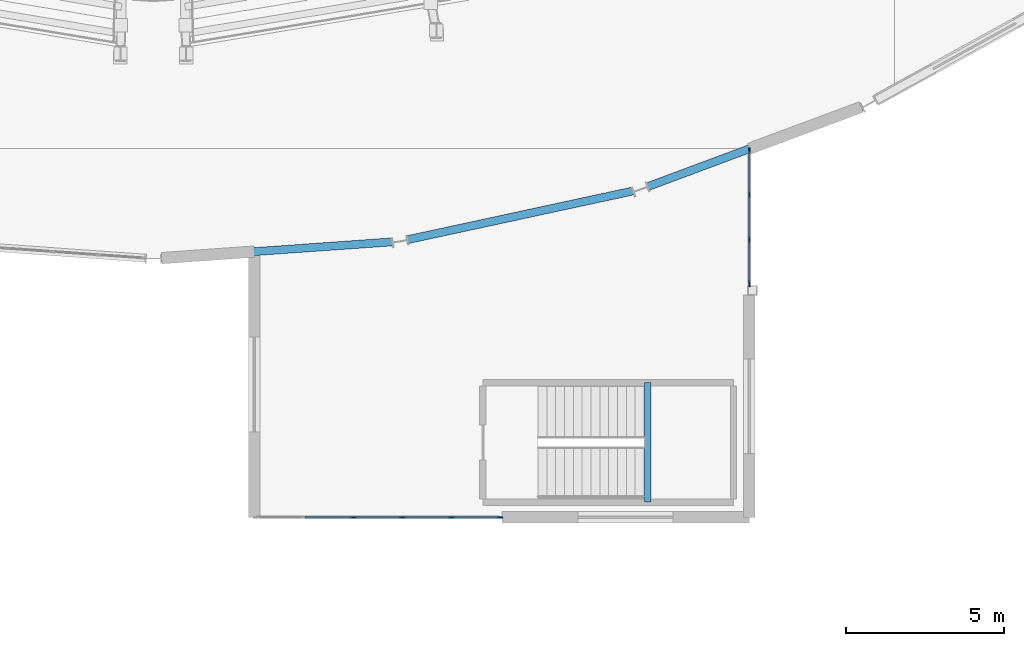
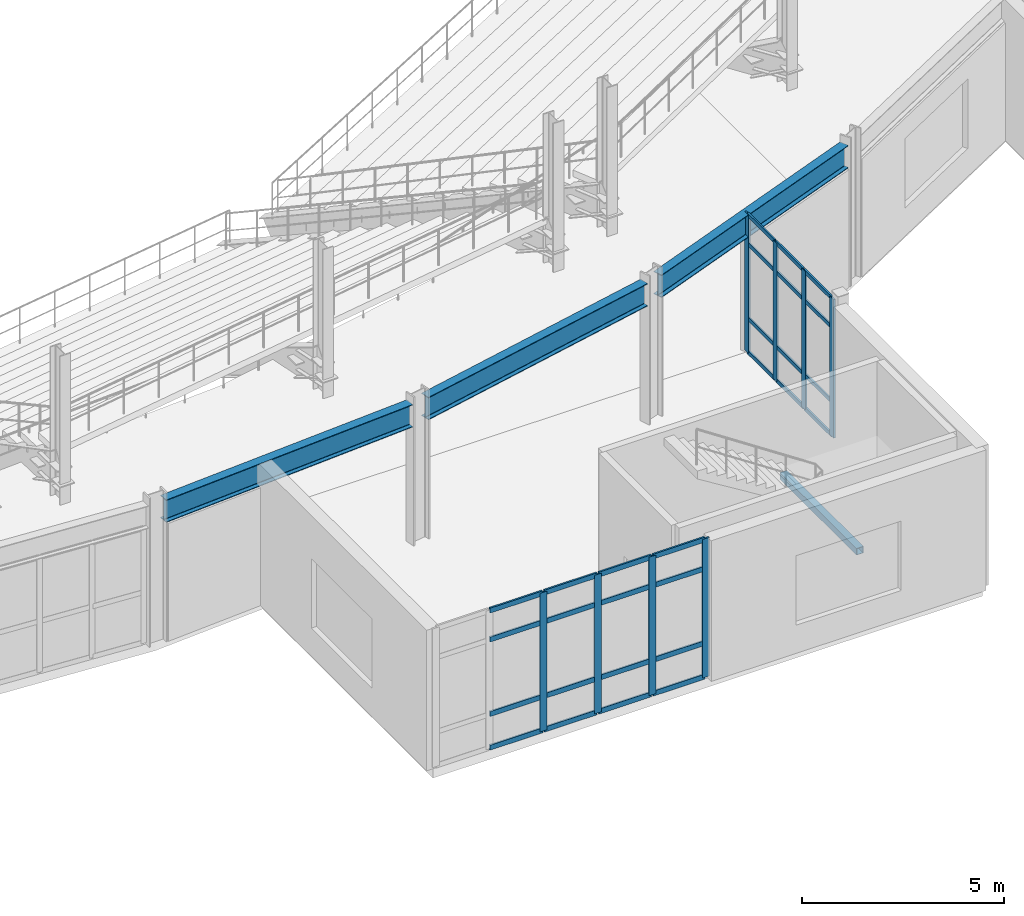
# One storey, part 24 of 81: 36 members, 4 beams, 2 elements without a shape of their own.
"""IFC4 building model written with IfcOpenShell, lengths in metres."""

from ifc_helpers import new_model, si_unit, direction, frame, origin, origin_2d, place, context, subcontext, project, spatial, rectangle, hollow_rectangle, i_section, extrude, material, material_profile, profile_set, type_object, element, aggregate, save


model = new_model("IFC4")

# Units and contexts
model_context = context("Model", 3, precision=1e-05, world=origin(), true_north=direction((0.0, 1.0)))
body_context = subcontext(model_context, "Body", "Model", "MODEL_VIEW")
ifc_project = project(units=[si_unit("LENGTHUNIT", "METRE"), si_unit("AREAUNIT", "SQUARE_METRE"), si_unit("VOLUMEUNIT", "CUBIC_METRE"), si_unit("PLANEANGLEUNIT", "RADIAN"), si_unit("MASSUNIT", "GRAM", prefix="KILO")], contexts=[model_context])

# Site, building, storey
site_placement = place(None, origin())
site = spatial("IfcSite", under=ifc_project, at=site_placement, CompositionType="ELEMENT")
building_placement = place(site_placement, origin())
building = spatial("IfcBuilding", under=site, at=building_placement, Name="Glasvene Arena", CompositionType="ELEMENT")
storey_placement = place(building_placement, frame((0.0, 0.0, 15.0)))
storey = spatial("IfcBuildingStorey", under=building, at=storey_placement, Name="L03", CompositionType="ELEMENT", Elevation=15.0)

# Beams
ifc_material_1 = material(Name="Steel S355J2", Category="steel")
ifc_material_profile_1 = material_profile(ifc_material_1, i_section(OverallWidth=0.253662109375, OverallDepth=0.68359375, WebThickness=0.012451171875, FlangeThickness=0.01904296875, FilletRadius=0.01513671875, at=origin_2d()), Name="UKB 686x254x140")
ifc_profile_set_1 = profile_set([ifc_material_profile_1], Name="Steel S355J2")
beam_type_1 = type_object("IfcBeamType", Name="BM-GIRD-686", PredefinedType="BEAM", material=ifc_profile_set_1)
beam_1_placement = place(storey_placement, frame((92.239501953125, 28.01708984375, 3.908203125), z_axis=(0.997501616337, 0.070643650844, 0.0), x_axis=(-0.070643650844, 0.997501616337, 0.0)))
element("IfcBeam", 1, at=beam_1_placement, inside=storey, type_object=beam_type_1, Name="Bowl ring chord beam L03-31", PredefinedType="BEAM", context=body_context, shape_type="SweptSolid", body=[
    extrude(i_section(OverallWidth=0.253662109375, OverallDepth=0.68359375, WebThickness=0.012451171875, FlangeThickness=0.01904296875, FilletRadius=0.01513671875, at=origin_2d()), origin(), (0.0, 0.0, 1.0), 7.361083984375),
])
beam_2_placement = place(storey_placement, frame((100.056396484375, 28.604736328125, 3.908203125), z_axis=(0.97744150895, 0.211206289161, 0.0), x_axis=(-0.211206289161, 0.97744150895, 0.0)))
element("IfcBeam", 2, at=beam_2_placement, inside=storey, type_object=beam_type_1, Name="Bowl ring chord beam L03-32", PredefinedType="BEAM", context=body_context, shape_type="SweptSolid", body=[
    extrude(i_section(OverallWidth=0.253662109375, OverallDepth=0.68359375, WebThickness=0.012451171875, FlangeThickness=0.01904296875, FilletRadius=0.01513671875, at=origin_2d()), origin(), (0.0, 0.0, 1.0), 7.3251953125),
])
beam_3_placement = place(storey_placement, frame((107.67578125, 30.286376953125, 3.908203125), z_axis=(0.937013245498, 0.349293827259, 0.0), x_axis=(-0.349293827259, 0.937013245498, 0.0)))
element("IfcBeam", 3, at=beam_3_placement, inside=storey, type_object=beam_type_1, Name="Bowl ring chord beam L03-33", PredefinedType="BEAM", context=body_context, shape_type="SweptSolid", body=[
    extrude(i_section(OverallWidth=0.253662109375, OverallDepth=0.68359375, WebThickness=0.012451171875, FlangeThickness=0.01904296875, FilletRadius=0.01513671875, at=origin_2d()), origin(), (0.0, 0.0, 1.0), 7.255859375),
])
ifc_material_profile_2 = material_profile(ifc_material_1, hollow_rectangle(XDim=0.199951171875, YDim=0.199951171875, WallThickness=0.010009765625, at=origin_2d()), Name="SHS 200x200x10.0")
ifc_profile_set_2 = profile_set([ifc_material_profile_2], Name="Steel S355J2")
beam_type_2 = type_object("IfcBeamType", Name="BM-LINTEL-200", PredefinedType="LINTEL", material=ifc_profile_set_2)
beam_4_placement = place(storey_placement, frame((107.679931640625, 20.280029296875, 1.929931640625), z_axis=(0.0, 1.0, 0.0), x_axis=(-1.0, 0.0, 0.0)))
element("IfcBeam", 4, at=beam_4_placement, inside=storey, type_object=beam_type_2, Name="Stair half-landing support beam ST-09-L03", PredefinedType="LINTEL", context=body_context, shape_type="SweptSolid", body=[
    extrude(hollow_rectangle(XDim=0.199951171875, YDim=0.199951171875, WallThickness=0.010009765625, at=origin_2d()), origin(), (0.0, 0.0, 1.0), 3.7900390625),
])

# Curtain wall, members
ifc_material_2 = material(Name="Low-emissivity laminated double glazing", Category="glass")
curtain_wall_type_1 = type_object("IfcCurtainWallType", Name="CW-FAC-L03-426x419", PredefinedType="USERDEFINED", material=ifc_material_2)
curtain_wall_1_placement = place(storey_placement, frame((110.89990234375, 31.4482421875, 0.0)))
curtain_wall_1 = element("IfcCurtainWall", 5, at=curtain_wall_1_placement, inside=storey, type_object=curtain_wall_type_1, Name="Unitised curtain wall CW-F-L03-180-1109-293-52", ObjectType="CURTAIN WALL", PredefinedType="USERDEFINED")
ifc_material_3 = material(Name="Anodised architectural aluminium", Category="aluminium")
ifc_material_profile_3 = material_profile(ifc_material_3, rectangle(XDim=0.050048828125, YDim=0.199951171875, at=origin_2d()), Name="ALU MULLION 50x200")
ifc_profile_set_3 = profile_set([ifc_material_profile_3], Name="Anodised architectural aluminium")
member_type_1 = type_object("IfcMemberType", Name="CW-MUL-180", PredefinedType="MULLION", material=ifc_profile_set_3)
member_1_placement = place(storey_placement, frame((110.89990234375, 31.42333984375, 0.06005859375), z_axis=(0.0, 0.0, 1.0), x_axis=(1.0, 0.0, 0.0)))
member_1 = element("IfcMember", 6, at=member_1_placement, type_object=member_type_1, Name="CW-041 mullion 1", PredefinedType="MULLION", context=body_context, shape_type="SweptSolid", body=[
    extrude(rectangle(XDim=0.050048828125, YDim=0.199951171875, at=origin_2d()), origin(), (0.0, 0.0, 1.0), 4.18994140625),
])
member_2_placement = place(storey_placement, frame((110.89990234375, 30.029541015625, 0.06005859375), z_axis=(0.0, 0.0, 1.0), x_axis=(1.0, 0.0, 0.0)))
member_2 = element("IfcMember", 7, at=member_2_placement, type_object=member_type_1, Name="CW-041 mullion 2", PredefinedType="MULLION", context=body_context, shape_type="SweptSolid", body=[
    extrude(rectangle(XDim=0.050048828125, YDim=0.199951171875, at=origin_2d()), origin(), (0.0, 0.0, 1.0), 4.18994140625),
])
member_3_placement = place(storey_placement, frame((110.89990234375, 28.61083984375, 0.06005859375), z_axis=(0.0, 0.0, 1.0), x_axis=(1.0, 0.0, 0.0)))
member_3 = element("IfcMember", 8, at=member_3_placement, type_object=member_type_1, Name="CW-041 mullion 3", PredefinedType="MULLION", context=body_context, shape_type="SweptSolid", body=[
    extrude(rectangle(XDim=0.050048828125, YDim=0.199951171875, at=origin_2d()), origin(), (0.0, 0.0, 1.0), 4.18994140625),
])
member_4_placement = place(storey_placement, frame((110.89990234375, 27.217041015625, 0.06005859375), z_axis=(0.0, 0.0, 1.0), x_axis=(1.0, 0.0, 0.0)))
member_4 = element("IfcMember", 9, at=member_4_placement, type_object=member_type_1, Name="CW-041 mullion 4", PredefinedType="MULLION", context=body_context, shape_type="SweptSolid", body=[
    extrude(rectangle(XDim=0.050048828125, YDim=0.199951171875, at=origin_2d()), origin(), (0.0, 0.0, 1.0), 4.18994140625),
])

curtain_wall_type_2 = type_object("IfcCurtainWallType", Name="CW-FAC-L03-777x419", PredefinedType="USERDEFINED", material=ifc_material_2)
curtain_wall_2_placement = place(storey_placement, frame((103.010009765625, 19.800048828125, 0.0)))
curtain_wall_2 = element("IfcCurtainWall", 10, at=curtain_wall_2_placement, inside=storey, type_object=curtain_wall_type_2, Name="Unitised curtain wall CW-F-L03-180-991-198-55", ObjectType="CURTAIN WALL", PredefinedType="USERDEFINED")
member_5_placement = place(storey_placement, frame((102.985107421875, 19.800048828125, 0.06005859375), z_axis=(0.0, 0.0, 1.0), x_axis=(0.0, -1.0, 0.0)))
member_5 = element("IfcMember", 11, at=member_5_placement, type_object=member_type_1, Name="CW-042 mullion 1", PredefinedType="MULLION", context=body_context, shape_type="SweptSolid", body=[
    extrude(rectangle(XDim=0.050048828125, YDim=0.199951171875, at=origin_2d()), origin(), (0.0, 0.0, 1.0), 4.18994140625),
])
member_6_placement = place(storey_placement, frame((101.4560546875, 19.800048828125, 0.06005859375), z_axis=(0.0, 0.0, 1.0), x_axis=(0.0, -1.0, 0.0)))
member_6 = element("IfcMember", 12, at=member_6_placement, type_object=member_type_1, Name="CW-042 mullion 2", PredefinedType="MULLION", context=body_context, shape_type="SweptSolid", body=[
    extrude(rectangle(XDim=0.050048828125, YDim=0.199951171875, at=origin_2d()), origin(), (0.0, 0.0, 1.0), 4.18994140625),
])
member_7_placement = place(storey_placement, frame((99.902099609375, 19.800048828125, 0.06005859375), z_axis=(0.0, 0.0, 1.0), x_axis=(0.0, -1.0, 0.0)))
member_7 = element("IfcMember", 13, at=member_7_placement, type_object=member_type_1, Name="CW-042 mullion 3", PredefinedType="MULLION", context=body_context, shape_type="SweptSolid", body=[
    extrude(rectangle(XDim=0.050048828125, YDim=0.199951171875, at=origin_2d()), origin(), (0.0, 0.0, 1.0), 4.18994140625),
])
member_8_placement = place(storey_placement, frame((98.347900390625, 19.800048828125, 0.06005859375), z_axis=(0.0, 0.0, 1.0), x_axis=(0.0, -1.0, 0.0)))
member_8 = element("IfcMember", 14, at=member_8_placement, type_object=member_type_1, Name="CW-042 mullion 4", PredefinedType="MULLION", context=body_context, shape_type="SweptSolid", body=[
    extrude(rectangle(XDim=0.050048828125, YDim=0.199951171875, at=origin_2d()), origin(), (0.0, 0.0, 1.0), 4.18994140625),
])

# Member
ifc_material_profile_4 = material_profile(ifc_material_3, rectangle(XDim=0.050048828125, YDim=0.1201171875, at=origin_2d()), Name="ALU TRANSOM 50x120")
ifc_profile_set_4 = profile_set([ifc_material_profile_4], Name="Anodised architectural aluminium")
member_type_2 = type_object("IfcMemberType", Name="CW-TRN-120", PredefinedType="USERDEFINED", material=ifc_profile_set_4)
member_9_placement = place(storey_placement, frame((110.89990234375, 31.398193359375, 0.0849609375), z_axis=(0.0, -1.0, 0.0), x_axis=(1.0, 0.0, 0.0)))
member_9 = element("IfcMember", 15, at=member_9_placement, type_object=member_type_2, Name="CW-041 transom 1.1", ObjectType="TRANSOM", PredefinedType="USERDEFINED", context=body_context, shape_type="SweptSolid", body=[
    extrude(rectangle(XDim=0.050048828125, YDim=0.1201171875, at=origin_2d()), origin(), (0.0, 0.0, 1.0), 1.34375),
])

member_10_placement = place(storey_placement, frame((110.89990234375, 31.398193359375, 1.10009765625), z_axis=(0.0, -1.0, 0.0), x_axis=(1.0, 0.0, 0.0)))
member_10 = element("IfcMember", 16, at=member_10_placement, type_object=member_type_2, Name="CW-041 transom 1.2", ObjectType="TRANSOM", PredefinedType="USERDEFINED", context=body_context, shape_type="SweptSolid", body=[
    extrude(rectangle(XDim=0.050048828125, YDim=0.1201171875, at=origin_2d()), origin(), (0.0, 0.0, 1.0), 1.34375),
])

member_11_placement = place(storey_placement, frame((110.89990234375, 31.398193359375, 3.35009765625), z_axis=(0.0, -1.0, 0.0), x_axis=(1.0, 0.0, 0.0)))
member_11 = element("IfcMember", 17, at=member_11_placement, type_object=member_type_2, Name="CW-041 transom 1.3", ObjectType="TRANSOM", PredefinedType="USERDEFINED", context=body_context, shape_type="SweptSolid", body=[
    extrude(rectangle(XDim=0.050048828125, YDim=0.1201171875, at=origin_2d()), origin(), (0.0, 0.0, 1.0), 1.34375),
])

member_12_placement = place(storey_placement, frame((110.89990234375, 31.398193359375, 4.22509765625), z_axis=(0.0, -1.0, 0.0), x_axis=(1.0, 0.0, 0.0)))
member_12 = element("IfcMember", 18, at=member_12_placement, type_object=member_type_2, Name="CW-041 transom 1.4", ObjectType="TRANSOM", PredefinedType="USERDEFINED", context=body_context, shape_type="SweptSolid", body=[
    extrude(rectangle(XDim=0.050048828125, YDim=0.1201171875, at=origin_2d()), origin(), (0.0, 0.0, 1.0), 1.34375),
])

member_13_placement = place(storey_placement, frame((110.89990234375, 30.004638671875, 0.0849609375), z_axis=(0.0, -1.0, 0.0), x_axis=(1.0, 0.0, 0.0)))
member_13 = element("IfcMember", 19, at=member_13_placement, type_object=member_type_2, Name="CW-041 transom 2.1", ObjectType="TRANSOM", PredefinedType="USERDEFINED", context=body_context, shape_type="SweptSolid", body=[
    extrude(rectangle(XDim=0.050048828125, YDim=0.1201171875, at=origin_2d()), origin(), (0.0, 0.0, 1.0), 1.368896484375),
])

member_14_placement = place(storey_placement, frame((110.89990234375, 30.004638671875, 1.10009765625), z_axis=(0.0, -1.0, 0.0), x_axis=(1.0, 0.0, 0.0)))
member_14 = element("IfcMember", 20, at=member_14_placement, type_object=member_type_2, Name="CW-041 transom 2.2", ObjectType="TRANSOM", PredefinedType="USERDEFINED", context=body_context, shape_type="SweptSolid", body=[
    extrude(rectangle(XDim=0.050048828125, YDim=0.1201171875, at=origin_2d()), origin(), (0.0, 0.0, 1.0), 1.368896484375),
])

member_15_placement = place(storey_placement, frame((110.89990234375, 30.004638671875, 3.35009765625), z_axis=(0.0, -1.0, 0.0), x_axis=(1.0, 0.0, 0.0)))
member_15 = element("IfcMember", 21, at=member_15_placement, type_object=member_type_2, Name="CW-041 transom 2.3", ObjectType="TRANSOM", PredefinedType="USERDEFINED", context=body_context, shape_type="SweptSolid", body=[
    extrude(rectangle(XDim=0.050048828125, YDim=0.1201171875, at=origin_2d()), origin(), (0.0, 0.0, 1.0), 1.368896484375),
])

member_16_placement = place(storey_placement, frame((110.89990234375, 30.004638671875, 4.22509765625), z_axis=(0.0, -1.0, 0.0), x_axis=(1.0, 0.0, 0.0)))
member_16 = element("IfcMember", 22, at=member_16_placement, type_object=member_type_2, Name="CW-041 transom 2.4", ObjectType="TRANSOM", PredefinedType="USERDEFINED", context=body_context, shape_type="SweptSolid", body=[
    extrude(rectangle(XDim=0.050048828125, YDim=0.1201171875, at=origin_2d()), origin(), (0.0, 0.0, 1.0), 1.368896484375),
])

member_17_placement = place(storey_placement, frame((110.89990234375, 28.585693359375, 0.0849609375), z_axis=(0.0, -1.0, 0.0), x_axis=(1.0, 0.0, 0.0)))
member_17 = element("IfcMember", 23, at=member_17_placement, type_object=member_type_2, Name="CW-041 transom 3.1", ObjectType="TRANSOM", PredefinedType="USERDEFINED", context=body_context, shape_type="SweptSolid", body=[
    extrude(rectangle(XDim=0.050048828125, YDim=0.1201171875, at=origin_2d()), origin(), (0.0, 0.0, 1.0), 1.34375),
])

member_18_placement = place(storey_placement, frame((110.89990234375, 28.585693359375, 1.10009765625), z_axis=(0.0, -1.0, 0.0), x_axis=(1.0, 0.0, 0.0)))
member_18 = element("IfcMember", 24, at=member_18_placement, type_object=member_type_2, Name="CW-041 transom 3.2", ObjectType="TRANSOM", PredefinedType="USERDEFINED", context=body_context, shape_type="SweptSolid", body=[
    extrude(rectangle(XDim=0.050048828125, YDim=0.1201171875, at=origin_2d()), origin(), (0.0, 0.0, 1.0), 1.34375),
])

member_19_placement = place(storey_placement, frame((110.89990234375, 28.585693359375, 3.35009765625), z_axis=(0.0, -1.0, 0.0), x_axis=(1.0, 0.0, 0.0)))
member_19 = element("IfcMember", 25, at=member_19_placement, type_object=member_type_2, Name="CW-041 transom 3.3", ObjectType="TRANSOM", PredefinedType="USERDEFINED", context=body_context, shape_type="SweptSolid", body=[
    extrude(rectangle(XDim=0.050048828125, YDim=0.1201171875, at=origin_2d()), origin(), (0.0, 0.0, 1.0), 1.34375),
])

member_20_placement = place(storey_placement, frame((110.89990234375, 28.585693359375, 4.22509765625), z_axis=(0.0, -1.0, 0.0), x_axis=(1.0, 0.0, 0.0)))
member_20 = element("IfcMember", 26, at=member_20_placement, type_object=member_type_2, Name="CW-041 transom 3.4", ObjectType="TRANSOM", PredefinedType="USERDEFINED", context=body_context, shape_type="SweptSolid", body=[
    extrude(rectangle(XDim=0.050048828125, YDim=0.1201171875, at=origin_2d()), origin(), (0.0, 0.0, 1.0), 1.34375),
])

aggregate(curtain_wall_1, [member_1, member_2, member_3, member_4, member_9, member_10, member_11, member_12, member_13, member_14, member_15, member_16, member_17, member_18, member_19, member_20])

ifc_material_profile_5 = material_profile(ifc_material_3, rectangle(XDim=0.050048828125, YDim=0.14990234375, at=origin_2d()), Name="ALU TRANSOM 50x150")
ifc_profile_set_5 = profile_set([ifc_material_profile_5], Name="Anodised architectural aluminium")
member_type_3 = type_object("IfcMemberType", Name="CW-TRN-150", PredefinedType="USERDEFINED", material=ifc_profile_set_5)
member_21_placement = place(storey_placement, frame((102.9599609375, 19.800048828125, 0.0849609375), z_axis=(-1.0, 0.0, 0.0), x_axis=(0.0, -1.0, 0.0)))
member_21 = element("IfcMember", 27, at=member_21_placement, type_object=member_type_3, Name="CW-042 transom 1.1", ObjectType="TRANSOM", PredefinedType="USERDEFINED", context=body_context, shape_type="SweptSolid", body=[
    extrude(rectangle(XDim=0.050048828125, YDim=0.14990234375, at=origin_2d()), origin(), (0.0, 0.0, 1.0), 1.47900390625),
])

member_22_placement = place(storey_placement, frame((102.9599609375, 19.800048828125, 1.10009765625), z_axis=(-1.0, 0.0, 0.0), x_axis=(0.0, -1.0, 0.0)))
member_22 = element("IfcMember", 28, at=member_22_placement, type_object=member_type_3, Name="CW-042 transom 1.2", ObjectType="TRANSOM", PredefinedType="USERDEFINED", context=body_context, shape_type="SweptSolid", body=[
    extrude(rectangle(XDim=0.050048828125, YDim=0.14990234375, at=origin_2d()), origin(), (0.0, 0.0, 1.0), 1.47900390625),
])

member_23_placement = place(storey_placement, frame((102.9599609375, 19.800048828125, 3.35009765625), z_axis=(-1.0, 0.0, 0.0), x_axis=(0.0, -1.0, 0.0)))
member_23 = element("IfcMember", 29, at=member_23_placement, type_object=member_type_3, Name="CW-042 transom 1.3", ObjectType="TRANSOM", PredefinedType="USERDEFINED", context=body_context, shape_type="SweptSolid", body=[
    extrude(rectangle(XDim=0.050048828125, YDim=0.14990234375, at=origin_2d()), origin(), (0.0, 0.0, 1.0), 1.47900390625),
])

member_24_placement = place(storey_placement, frame((102.9599609375, 19.800048828125, 4.22509765625), z_axis=(-1.0, 0.0, 0.0), x_axis=(0.0, -1.0, 0.0)))
member_24 = element("IfcMember", 30, at=member_24_placement, type_object=member_type_3, Name="CW-042 transom 1.4", ObjectType="TRANSOM", PredefinedType="USERDEFINED", context=body_context, shape_type="SweptSolid", body=[
    extrude(rectangle(XDim=0.050048828125, YDim=0.14990234375, at=origin_2d()), origin(), (0.0, 0.0, 1.0), 1.47900390625),
])

member_25_placement = place(storey_placement, frame((101.430908203125, 19.800048828125, 0.0849609375), z_axis=(-1.0, 0.0, 0.0), x_axis=(0.0, -1.0, 0.0)))
member_25 = element("IfcMember", 31, at=member_25_placement, type_object=member_type_3, Name="CW-042 transom 2.1", ObjectType="TRANSOM", PredefinedType="USERDEFINED", context=body_context, shape_type="SweptSolid", body=[
    extrude(rectangle(XDim=0.050048828125, YDim=0.14990234375, at=origin_2d()), origin(), (0.0, 0.0, 1.0), 1.50390625),
])

member_26_placement = place(storey_placement, frame((101.430908203125, 19.800048828125, 1.10009765625), z_axis=(-1.0, 0.0, 0.0), x_axis=(0.0, -1.0, 0.0)))
member_26 = element("IfcMember", 32, at=member_26_placement, type_object=member_type_3, Name="CW-042 transom 2.2", ObjectType="TRANSOM", PredefinedType="USERDEFINED", context=body_context, shape_type="SweptSolid", body=[
    extrude(rectangle(XDim=0.050048828125, YDim=0.14990234375, at=origin_2d()), origin(), (0.0, 0.0, 1.0), 1.50390625),
])

member_27_placement = place(storey_placement, frame((101.430908203125, 19.800048828125, 3.35009765625), z_axis=(-1.0, 0.0, 0.0), x_axis=(0.0, -1.0, 0.0)))
member_27 = element("IfcMember", 33, at=member_27_placement, type_object=member_type_3, Name="CW-042 transom 2.3", ObjectType="TRANSOM", PredefinedType="USERDEFINED", context=body_context, shape_type="SweptSolid", body=[
    extrude(rectangle(XDim=0.050048828125, YDim=0.14990234375, at=origin_2d()), origin(), (0.0, 0.0, 1.0), 1.50390625),
])

member_28_placement = place(storey_placement, frame((101.430908203125, 19.800048828125, 4.22509765625), z_axis=(-1.0, 0.0, 0.0), x_axis=(0.0, -1.0, 0.0)))
member_28 = element("IfcMember", 34, at=member_28_placement, type_object=member_type_3, Name="CW-042 transom 2.4", ObjectType="TRANSOM", PredefinedType="USERDEFINED", context=body_context, shape_type="SweptSolid", body=[
    extrude(rectangle(XDim=0.050048828125, YDim=0.14990234375, at=origin_2d()), origin(), (0.0, 0.0, 1.0), 1.50390625),
])

member_29_placement = place(storey_placement, frame((99.876953125, 19.800048828125, 0.0849609375), z_axis=(-1.0, 0.0, 0.0), x_axis=(0.0, -1.0, 0.0)))
member_29 = element("IfcMember", 35, at=member_29_placement, type_object=member_type_3, Name="CW-042 transom 3.1", ObjectType="TRANSOM", PredefinedType="USERDEFINED", context=body_context, shape_type="SweptSolid", body=[
    extrude(rectangle(XDim=0.050048828125, YDim=0.14990234375, at=origin_2d()), origin(), (0.0, 0.0, 1.0), 1.50390625),
])

member_30_placement = place(storey_placement, frame((99.876953125, 19.800048828125, 1.10009765625), z_axis=(-1.0, 0.0, 0.0), x_axis=(0.0, -1.0, 0.0)))
member_30 = element("IfcMember", 36, at=member_30_placement, type_object=member_type_3, Name="CW-042 transom 3.2", ObjectType="TRANSOM", PredefinedType="USERDEFINED", context=body_context, shape_type="SweptSolid", body=[
    extrude(rectangle(XDim=0.050048828125, YDim=0.14990234375, at=origin_2d()), origin(), (0.0, 0.0, 1.0), 1.50390625),
])

member_31_placement = place(storey_placement, frame((99.876953125, 19.800048828125, 3.35009765625), z_axis=(-1.0, 0.0, 0.0), x_axis=(0.0, -1.0, 0.0)))
member_31 = element("IfcMember", 37, at=member_31_placement, type_object=member_type_3, Name="CW-042 transom 3.3", ObjectType="TRANSOM", PredefinedType="USERDEFINED", context=body_context, shape_type="SweptSolid", body=[
    extrude(rectangle(XDim=0.050048828125, YDim=0.14990234375, at=origin_2d()), origin(), (0.0, 0.0, 1.0), 1.50390625),
])

member_32_placement = place(storey_placement, frame((99.876953125, 19.800048828125, 4.22509765625), z_axis=(-1.0, 0.0, 0.0), x_axis=(0.0, -1.0, 0.0)))
member_32 = element("IfcMember", 38, at=member_32_placement, type_object=member_type_3, Name="CW-042 transom 3.4", ObjectType="TRANSOM", PredefinedType="USERDEFINED", context=body_context, shape_type="SweptSolid", body=[
    extrude(rectangle(XDim=0.050048828125, YDim=0.14990234375, at=origin_2d()), origin(), (0.0, 0.0, 1.0), 1.50390625),
])

member_33_placement = place(storey_placement, frame((98.322998046875, 19.800048828125, 0.0849609375), z_axis=(-1.0, 0.0, 0.0), x_axis=(0.0, -1.0, 0.0)))
member_33 = element("IfcMember", 39, at=member_33_placement, type_object=member_type_3, Name="CW-042 transom 4.1", ObjectType="TRANSOM", PredefinedType="USERDEFINED", context=body_context, shape_type="SweptSolid", body=[
    extrude(rectangle(XDim=0.050048828125, YDim=0.14990234375, at=origin_2d()), origin(), (0.0, 0.0, 1.0), 1.50390625),
])

member_34_placement = place(storey_placement, frame((98.322998046875, 19.800048828125, 1.10009765625), z_axis=(-1.0, 0.0, 0.0), x_axis=(0.0, -1.0, 0.0)))
member_34 = element("IfcMember", 40, at=member_34_placement, type_object=member_type_3, Name="CW-042 transom 4.2", ObjectType="TRANSOM", PredefinedType="USERDEFINED", context=body_context, shape_type="SweptSolid", body=[
    extrude(rectangle(XDim=0.050048828125, YDim=0.14990234375, at=origin_2d()), origin(), (0.0, 0.0, 1.0), 1.50390625),
])

member_35_placement = place(storey_placement, frame((98.322998046875, 19.800048828125, 3.35009765625), z_axis=(-1.0, 0.0, 0.0), x_axis=(0.0, -1.0, 0.0)))
member_35 = element("IfcMember", 41, at=member_35_placement, type_object=member_type_3, Name="CW-042 transom 4.3", ObjectType="TRANSOM", PredefinedType="USERDEFINED", context=body_context, shape_type="SweptSolid", body=[
    extrude(rectangle(XDim=0.050048828125, YDim=0.14990234375, at=origin_2d()), origin(), (0.0, 0.0, 1.0), 1.50390625),
])

member_36_placement = place(storey_placement, frame((98.322998046875, 19.800048828125, 4.22509765625), z_axis=(-1.0, 0.0, 0.0), x_axis=(0.0, -1.0, 0.0)))
member_36 = element("IfcMember", 42, at=member_36_placement, type_object=member_type_3, Name="CW-042 transom 4.4", ObjectType="TRANSOM", PredefinedType="USERDEFINED", context=body_context, shape_type="SweptSolid", body=[
    extrude(rectangle(XDim=0.050048828125, YDim=0.14990234375, at=origin_2d()), origin(), (0.0, 0.0, 1.0), 1.50390625),
])

aggregate(curtain_wall_2, [member_5, member_6, member_7, member_8, member_21, member_22, member_23, member_24, member_25, member_26, member_27, member_28, member_29, member_30, member_31, member_32, member_33, member_34, member_35, member_36])

save(model, "model.ifc")
